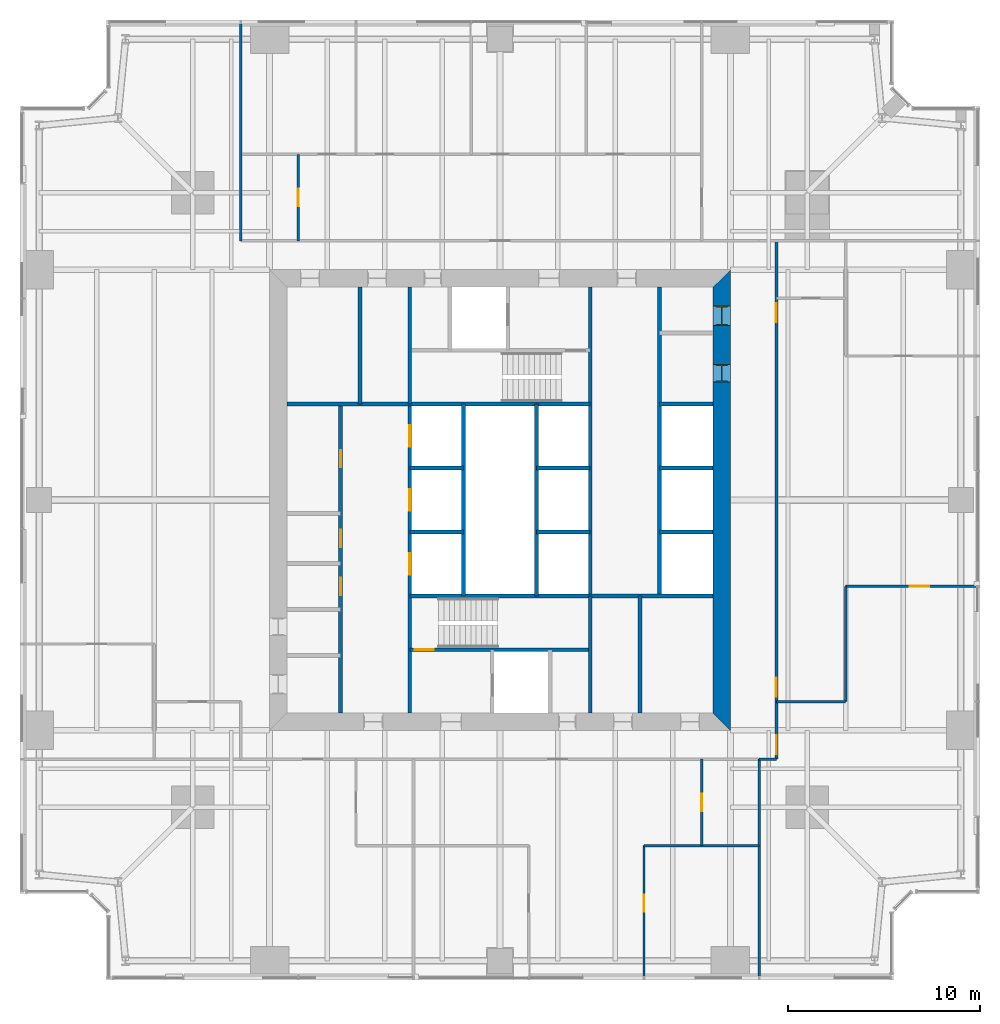
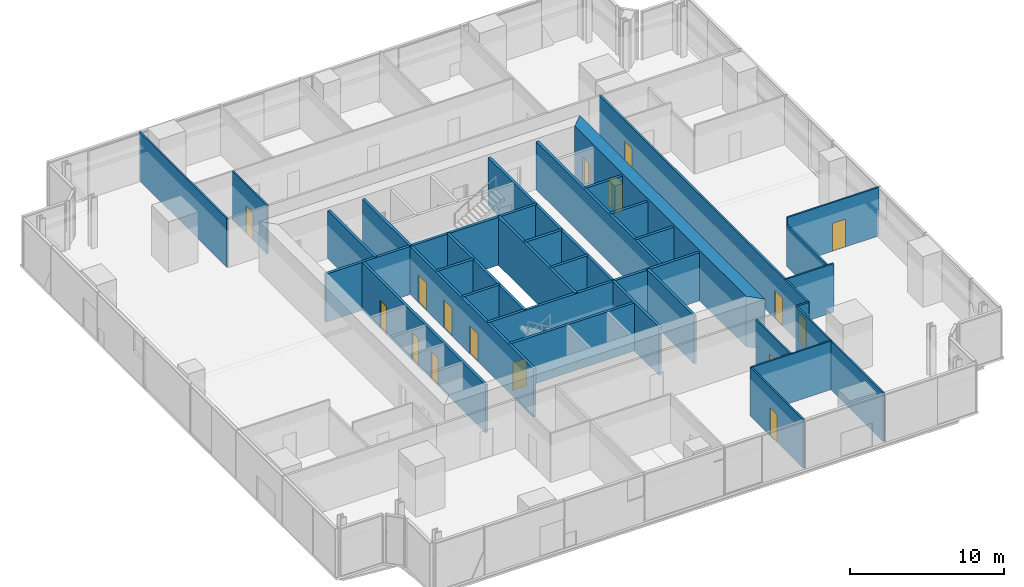
# One storey, part 10 of 14: 32 walls, 16 doors, 16 openings.
"""IFC4 building model written with IfcOpenShell, lengths in metres."""

from ifc_helpers import new_model, si_unit, direction, frame, frame_2d, origin, place, context, subcontext, project, spatial, polyline, rectangle, outline, extrude, material, layer, layer_set, type_object, element, fill, save


model = new_model("IFC4")

# Units and contexts
model_context = context("Model", 3, precision=1e-05, world=origin(), true_north=direction((0.0, 1.0)))
body_context = subcontext(model_context, "Body", "Model", "MODEL_VIEW")
ifc_project = project(units=[si_unit("LENGTHUNIT", "METRE"), si_unit("AREAUNIT", "SQUARE_METRE"), si_unit("VOLUMEUNIT", "CUBIC_METRE"), si_unit("PLANEANGLEUNIT", "RADIAN"), si_unit("MASSUNIT", "GRAM", prefix="KILO")], contexts=[model_context])

# Site, building, storey
site_placement = place(None, origin())
site = spatial("IfcSite", under=ifc_project, at=site_placement, CompositionType="ELEMENT")
building_placement = place(site_placement, origin())
building = spatial("IfcBuilding", under=site, at=building_placement, Name="Fenwick Lantern Interchange", CompositionType="ELEMENT")
storey_placement = place(building_placement, frame((0.0, 0.0, 154.39990234375)))
storey = spatial("IfcBuildingStorey", under=building, at=storey_placement, Name="L36", CompositionType="ELEMENT", Elevation=154.39990234375)

# Wall, openings, doors
ifc_material_1 = material(Name="Concrete masonry ASTM C90 Grade N", Category="masonry")
ifc_layer_1 = layer(ifc_material_1, 0.199951171875)
ifc_layer_set_1 = layer_set([ifc_layer_1], Name="Concrete masonry ASTM C90 Grade N")
wall_type_1 = type_object("IfcWallType", Name="CORE PARTITION 200", PredefinedType="PARTITIONING", material=ifc_layer_set_1)
wall_1_placement = place(storey_placement, frame((16.699951171875, 13.89990234375, 0.0), z_axis=(0.0, 0.0, 1.0), x_axis=(0.0, 1.0, 0.0)))
wall_1 = element("IfcWall", 1, at=wall_1_placement, inside=storey, type_object=wall_type_1, Name="L36/W/CORES/a", PredefinedType="PARTITIONING", context=body_context, shape_type="SweptSolid", body=[
    extrude(rectangle(XDim=16.10009765625, YDim=0.199951171875, at=frame_2d((8.050048828125, 0.0))), origin(), (0.0, 0.0, 1.0), 3.800048828125),
])
opening_1_placement = place(wall_1_placement, frame((6.14990234375, 0.0, 0.0)))
opening_1 = element("IfcOpeningElement", 2, at=opening_1_placement, cuts=wall_1, Name="Opening L36-D009", PredefinedType="OPENING", context=body_context, shape_type="SweptSolid", body=[
    extrude(rectangle(XDim=0.89990234375, YDim=2.199951171875, at=frame_2d((0.449951171875, 1.10009765625))), frame((0.0, 0.10986328125, 0.0), z_axis=(0.0, -1.0, 0.0), x_axis=(1.0, 0.0, 0.0)), (0.0, 0.0, 1.0), 0.219970703125),
])
opening_2_placement = place(wall_1_placement, frame((8.64990234375, 0.0, 0.0)))
opening_2 = element("IfcOpeningElement", 3, at=opening_2_placement, cuts=wall_1, Name="Opening L36-D010", PredefinedType="OPENING", context=body_context, shape_type="SweptSolid", body=[
    extrude(rectangle(XDim=0.89990234375, YDim=2.199951171875, at=frame_2d((0.449951171875, 1.10009765625))), frame((0.0, 0.10986328125, 0.0), z_axis=(0.0, -1.0, 0.0), x_axis=(1.0, 0.0, 0.0)), (0.0, 0.0, 1.0), 0.219970703125),
])
opening_3_placement = place(wall_1_placement, frame((12.800048828125, 0.0, 0.0)))
opening_3 = element("IfcOpeningElement", 4, at=opening_3_placement, cuts=wall_1, Name="Opening L36-D011", PredefinedType="OPENING", context=body_context, shape_type="SweptSolid", body=[
    extrude(rectangle(XDim=0.89990234375, YDim=2.199951171875, at=frame_2d((0.449951171875, 1.10009765625))), frame((0.0, 0.10986328125, 0.0), z_axis=(0.0, -1.0, 0.0), x_axis=(1.0, 0.0, 0.0)), (0.0, 0.0, 1.0), 0.219970703125),
])
ifc_material_2 = material(Name="Steel door and frame", Category="steel")
door_type_1 = type_object("IfcDoorType", Name="SERVICE DOOR 900 X 2200", OperationType="SINGLE_SWING_LEFT", PredefinedType="DOOR", material=ifc_material_2)
door_1_placement = place(opening_1_placement, origin())
door_1 = element("IfcDoor", 5, at=door_1_placement, inside=storey, type_object=door_type_1, Name="Service door", OperationType="SINGLE_SWING_LEFT", OverallHeight=2.199951171875, OverallWidth=0.89990234375, PredefinedType="DOOR", context=body_context, shape_type="SweptSolid", body=[
    extrude(rectangle(XDim=0.89990234375, YDim=2.199951171875, at=frame_2d((0.449951171875, 1.10009765625))), frame((0.0, 0.02490234375, 0.0), z_axis=(0.0, -1.0, 0.0), x_axis=(1.0, 0.0, 0.0)), (0.0, 0.0, 1.0), 0.050048828125),
])
fill(opening_1, door_1)
door_2_placement = place(opening_2_placement, origin())
door_2 = element("IfcDoor", 6, at=door_2_placement, inside=storey, type_object=door_type_1, Name="Service door", OperationType="SINGLE_SWING_LEFT", OverallHeight=2.199951171875, OverallWidth=0.89990234375, PredefinedType="DOOR", context=body_context, shape_type="SweptSolid", body=[
    extrude(rectangle(XDim=0.89990234375, YDim=2.199951171875, at=frame_2d((0.449951171875, 1.10009765625))), frame((0.0, 0.02490234375, 0.0), z_axis=(0.0, -1.0, 0.0), x_axis=(1.0, 0.0, 0.0)), (0.0, 0.0, 1.0), 0.050048828125),
])
fill(opening_2, door_2)
door_3_placement = place(opening_3_placement, origin())
door_3 = element("IfcDoor", 7, at=door_3_placement, inside=storey, type_object=door_type_1, Name="Service door", OperationType="SINGLE_SWING_LEFT", OverallHeight=2.199951171875, OverallWidth=0.89990234375, PredefinedType="DOOR", context=body_context, shape_type="SweptSolid", body=[
    extrude(rectangle(XDim=0.89990234375, YDim=2.199951171875, at=frame_2d((0.449951171875, 1.10009765625))), frame((0.0, 0.02490234375, 0.0), z_axis=(0.0, -1.0, 0.0), x_axis=(1.0, 0.0, 0.0)), (0.0, 0.0, 1.0), 0.050048828125),
])
fill(opening_3, door_3)

# Walls
for number, where, z_axis, x_axis, name in (
    (8, (20.300048828125, 23.333251953125, 0.0), (0.0, 0.0, 1.0), (1.0, 0.0, 0.0), "L36/W/CORES/e1"),
    (9, (20.300048828125, 26.666748046875, 0.0), (0.0, 0.0, 1.0), (1.0, 0.0, 0.0), "L36/W/CORES/e2"),
):
    element("IfcWall", number, at=place(storey_placement, frame(where, z_axis=z_axis, x_axis=x_axis)), inside=storey, type_object=wall_type_1, Name=name, PredefinedType="PARTITIONING", context=body_context, shape_type="SweptSolid", body=[
        extrude(rectangle(XDim=2.800048828125, YDim=0.199951171875, at=frame_2d((1.39990234375, 0.0))), origin(), (0.0, 0.0, 1.0), 3.800048828125),
    ])
wall_2_placement = place(storey_placement, frame((23.10009765625, 20.0, 0.0), z_axis=(0.0, 0.0, 1.0), x_axis=(0.0, 1.0, 0.0)))
element("IfcWall", 10, at=wall_2_placement, inside=storey, type_object=wall_type_1, Name="L36/W/CORES/e3", PredefinedType="PARTITIONING", context=body_context, shape_type="SweptSolid", body=[
    extrude(rectangle(XDim=10.0, YDim=0.199951171875, at=frame_2d((5.0, 0.0))), origin(), (0.0, 0.0, 1.0), 3.800048828125),
])
wall_3_placement = place(storey_placement, frame((32.300048828125, 13.89990234375, 0.0), z_axis=(0.0, 0.0, 1.0), x_axis=(0.0, 1.0, 0.0)))
element("IfcWall", 11, at=wall_3_placement, inside=storey, type_object=wall_type_1, Name="L36/W/CORES/i2", PredefinedType="PARTITIONING", context=body_context, shape_type="SweptSolid", body=[
    extrude(rectangle(XDim=6.10009765625, YDim=0.199951171875, at=frame_2d((3.050048828125, 0.0))), origin(), (0.0, 0.0, 1.0), 3.800048828125),
])
wall_4_placement = place(storey_placement, frame((33.300048828125, 36.10009765625, 0.0), z_axis=(0.0, 0.0, 1.0), x_axis=(0.0, -1.0, 0.0)))
element("IfcWall", 12, at=wall_4_placement, inside=storey, type_object=wall_type_1, Name="L36/W/COREN/a", PredefinedType="PARTITIONING", context=body_context, shape_type="SweptSolid", body=[
    extrude(rectangle(XDim=16.10009765625, YDim=0.199951171875, at=frame_2d((8.050048828125, 0.0))), origin(), (0.0, 0.0, 1.0), 3.800048828125),
])
for number, where, z_axis, x_axis, name in (
    (13, (36.10009765625, 30.0, 0.0), (0.0, 0.0, 1.0), (-1.0, 0.0, 0.0), "L36/W/COREN/c2"),
    (14, (36.10009765625, 26.666748046875, 0.0), (0.0, 0.0, 1.0), (-1.0, 0.0, 0.0), "L36/W/COREN/d1"),
    (15, (36.10009765625, 23.333251953125, 0.0), (0.0, 0.0, 1.0), (-1.0, 0.0, 0.0), "L36/W/COREN/d2"),
    (16, (29.699951171875, 26.666748046875, 0.0), (0.0, 0.0, 1.0), (-1.0, 0.0, 0.0), "L36/W/COREN/e1"),
    (17, (29.699951171875, 23.333251953125, 0.0), (0.0, 0.0, 1.0), (-1.0, 0.0, 0.0), "L36/W/COREN/e2"),
):
    element("IfcWall", number, at=place(storey_placement, frame(where, z_axis=z_axis, x_axis=x_axis)), inside=storey, type_object=wall_type_1, Name=name, PredefinedType="PARTITIONING", context=body_context, shape_type="SweptSolid", body=[
        extrude(rectangle(XDim=2.800048828125, YDim=0.199951171875, at=frame_2d((1.39990234375, 0.0))), origin(), (0.0, 0.0, 1.0), 3.800048828125),
    ])
wall_5_placement = place(storey_placement, frame((26.89990234375, 30.0, 0.0), z_axis=(0.0, 0.0, 1.0), x_axis=(0.0, -1.0, 0.0)))
element("IfcWall", 18, at=wall_5_placement, inside=storey, type_object=wall_type_1, Name="L36/W/COREN/e3", PredefinedType="PARTITIONING", context=body_context, shape_type="SweptSolid", body=[
    extrude(rectangle(XDim=10.0, YDim=0.199951171875, at=frame_2d((5.0, 0.0))), origin(), (0.0, 0.0, 1.0), 3.800048828125),
])
wall_6_placement = place(storey_placement, frame((17.699951171875, 36.10009765625, 0.0), z_axis=(0.0, 0.0, 1.0), x_axis=(0.0, -1.0, 0.0)))
element("IfcWall", 19, at=wall_6_placement, inside=storey, type_object=wall_type_1, Name="L36/W/COREN/i2", PredefinedType="PARTITIONING", context=body_context, shape_type="SweptSolid", body=[
    extrude(rectangle(XDim=6.10009765625, YDim=0.199951171875, at=frame_2d((3.050048828125, 0.0))), origin(), (0.0, 0.0, 1.0), 3.800048828125),
])

# Wall, openings, doors
ifc_material_3 = material(Name="Concrete f'c 70 MPa", Category="concrete")
ifc_layer_2 = layer(ifc_material_3, 0.89990234375)
ifc_layer_set_2 = layer_set([ifc_layer_2], Name="CORE WALL 900")
wall_type_2 = type_object("IfcWallType", Name="CORE WALL 900", PredefinedType="SHEAR", material=ifc_layer_set_2)
wall_7_placement = place(storey_placement, frame((36.550048828125, 13.89990234375, 0.0), z_axis=(0.0, 0.0, 1.0), x_axis=(0.0, 1.0, 0.0)))
wall_7 = element("IfcWall", 20, at=wall_7_placement, inside=storey, type_object=wall_type_2, Name="L36/CORE/E", PredefinedType="SHEAR", context=body_context, shape_type="SweptSolid", body=[
    extrude(outline(polyline([(-0.89990234375, -0.449951171875), (23.10009765625, -0.449951171875), (22.199951171875, 0.449951171875), (0.0, 0.449951171875), (-0.89990234375, -0.449951171875)])), origin(), (0.0, 0.0, 1.0), 4.0),
])
opening_4_placement = place(wall_7_placement, frame((20.199951171875, 0.0, 0.0)))
opening_4 = element("IfcOpeningElement", 21, at=opening_4_placement, cuts=wall_7, Name="Opening L36-D018", PredefinedType="OPENING", context=body_context, shape_type="SweptSolid", body=[
    extrude(rectangle(XDim=1.0, YDim=2.199951171875, at=frame_2d((0.5, 1.10009765625))), frame((0.0, 0.4599609375, 0.0), z_axis=(0.0, -1.0, 0.0), x_axis=(1.0, 0.0, 0.0)), (0.0, 0.0, 1.0), 0.919921875),
])
opening_5_placement = place(wall_7_placement, frame((17.25, 0.0, 0.0)))
opening_5 = element("IfcOpeningElement", 22, at=opening_5_placement, cuts=wall_7, Name="Opening L36-D019", PredefinedType="OPENING", context=body_context, shape_type="SweptSolid", body=[
    extrude(rectangle(XDim=0.89990234375, YDim=2.199951171875, at=frame_2d((0.449951171875, 1.10009765625))), frame((0.0, 0.4599609375, 0.0), z_axis=(0.0, -1.0, 0.0), x_axis=(1.0, 0.0, 0.0)), (0.0, 0.0, 1.0), 0.919921875),
])
door_type_2 = type_object("IfcDoorType", Name="SERVICE DOOR 1000 X 2200", OperationType="SINGLE_SWING_LEFT", PredefinedType="DOOR", material=ifc_material_2)
door_4_placement = place(opening_4_placement, origin())
door_4 = element("IfcDoor", 23, at=door_4_placement, inside=storey, type_object=door_type_2, Name="Service door", OperationType="SINGLE_SWING_LEFT", OverallHeight=2.199951171875, OverallWidth=1.0, PredefinedType="DOOR", context=body_context, shape_type="SweptSolid", body=[
    extrude(rectangle(XDim=1.0, YDim=2.199951171875, at=frame_2d((0.5, 1.10009765625))), frame((0.0, 0.02490234375, 0.0), z_axis=(0.0, -1.0, 0.0), x_axis=(1.0, 0.0, 0.0)), (0.0, 0.0, 1.0), 0.050048828125),
    extrude(outline(polyline([(0.0, 0.0), (0.0400390625, 0.0), (0.0400390625, 2.159912109375), (0.9599609375, 2.159912109375), (0.9599609375, 0.0), (1.0, 0.0), (1.0, 2.199951171875), (0.0, 2.199951171875), (0.0, 0.0)])), frame((0.0, 0.300048828125, 0.0), z_axis=(0.0, -1.0, 0.0), x_axis=(1.0, 0.0, 0.0)), (0.0, 0.0, 1.0), 0.60009765625),
])
fill(opening_4, door_4)
door_5_placement = place(opening_5_placement, origin())
door_5 = element("IfcDoor", 24, at=door_5_placement, inside=storey, type_object=door_type_1, Name="Service door", OperationType="SINGLE_SWING_LEFT", OverallHeight=2.199951171875, OverallWidth=0.89990234375, PredefinedType="DOOR", context=body_context, shape_type="SweptSolid", body=[
    extrude(rectangle(XDim=0.89990234375, YDim=2.199951171875, at=frame_2d((0.449951171875, 1.10009765625))), frame((0.0, 0.02490234375, 0.0), z_axis=(0.0, -1.0, 0.0), x_axis=(1.0, 0.0, 0.0)), (0.0, 0.0, 1.0), 0.050048828125),
    extrude(outline(polyline([(0.0, 0.0), (0.0400390625, 0.0), (0.0400390625, 2.159912109375), (0.85986328125, 2.159912109375), (0.85986328125, 0.0), (0.89990234375, 0.0), (0.89990234375, 2.199951171875), (0.0, 2.199951171875), (0.0, 0.0)])), frame((0.0, 0.300048828125, 0.0), z_axis=(0.0, -1.0, 0.0), x_axis=(1.0, 0.0, 0.0)), (0.0, 0.0, 1.0), 0.60009765625),
])
fill(opening_5, door_5)

# Wall
ifc_material_4 = material(Name="Gypsum board on steel studs, 1 hour", Category="steel")
ifc_layer_3 = layer(ifc_material_4, 0.14990234375)
ifc_layer_set_3 = layer_set([ifc_layer_3], Name="CORRIDOR WALL 150")
wall_type_3 = type_object("IfcWallType", Name="CORRIDOR WALL 150", PredefinedType="PARTITIONING", material=ifc_layer_set_3)
wall_8_placement = place(storey_placement, frame((38.5, 11.5, 0.0), z_axis=(0.0, 0.0, 1.0), x_axis=(1.0, 0.0, 0.0)))
element("IfcWall", 25, at=wall_8_placement, inside=storey, type_object=wall_type_3, Name="L36/W/OFF/E/CWJ", PredefinedType="PARTITIONING", context=body_context, shape_type="SweptSolid", body=[
    extrude(rectangle(XDim=0.89990234375, YDim=0.14990234375, at=frame_2d((0.449951171875, 0.0))), origin(), (0.0, 0.0, 1.0), 3.85009765625),
])

# Wall, openings, doors
wall_9_placement = place(storey_placement, frame((39.39990234375, 11.5, 0.0), z_axis=(0.0, 0.0, 1.0), x_axis=(0.0, 1.0, 0.0)))
wall_9 = element("IfcWall", 26, at=wall_9_placement, inside=storey, type_object=wall_type_3, Name="L36/W/OFF/E/CW2", PredefinedType="PARTITIONING", context=body_context, shape_type="SweptSolid", body=[
    extrude(rectangle(XDim=27.0, YDim=0.14990234375, at=frame_2d((13.5, 0.0))), origin(), (0.0, 0.0, 1.0), 3.85009765625),
])
opening_6_placement = place(wall_9_placement, frame((3.25, 0.0, 0.0)))
opening_6 = element("IfcOpeningElement", 27, at=opening_6_placement, cuts=wall_9, Name="Opening L36-D026", PredefinedType="OPENING", context=body_context, shape_type="SweptSolid", body=[
    extrude(rectangle(XDim=1.0, YDim=2.199951171875, at=frame_2d((0.5, 1.10009765625))), frame((0.0, 0.0849609375, 0.0), z_axis=(0.0, -1.0, 0.0), x_axis=(1.0, 0.0, 0.0)), (0.0, 0.0, 1.0), 0.169921875),
])
opening_7_placement = place(wall_9_placement, frame((22.75, 0.0, 0.0)))
opening_7 = element("IfcOpeningElement", 28, at=opening_7_placement, cuts=wall_9, Name="Opening L36-D027", PredefinedType="OPENING", context=body_context, shape_type="SweptSolid", body=[
    extrude(rectangle(XDim=1.0, YDim=2.199951171875, at=frame_2d((0.5, 1.10009765625))), frame((0.0, 0.0849609375, 0.0), z_axis=(0.0, -1.0, 0.0), x_axis=(1.0, 0.0, 0.0)), (0.0, 0.0, 1.0), 0.169921875),
])
opening_8_placement = place(wall_9_placement, frame((0.25, 0.0, 0.0)))
opening_8 = element("IfcOpeningElement", 29, at=opening_8_placement, cuts=wall_9, Name="Opening L36-D029", PredefinedType="OPENING", context=body_context, shape_type="SweptSolid", body=[
    extrude(rectangle(XDim=1.0, YDim=2.199951171875, at=frame_2d((0.5, 1.10009765625))), frame((0.0, 0.0849609375, 0.0), z_axis=(0.0, -1.0, 0.0), x_axis=(1.0, 0.0, 0.0)), (0.0, 0.0, 1.0), 0.169921875),
])
ifc_material_5 = material(Name="Hardwood door and steel frame", Category="steel")
door_type_3 = type_object("IfcDoorType", Name="MEETING ROOM DOOR 1000 X 2200", OperationType="SINGLE_SWING_LEFT", PredefinedType="DOOR", material=ifc_material_5)
door_6_placement = place(opening_8_placement, origin())
door_6 = element("IfcDoor", 30, at=door_6_placement, inside=storey, type_object=door_type_3, Name="Meeting room door", OperationType="SINGLE_SWING_LEFT", OverallHeight=2.199951171875, OverallWidth=1.0, PredefinedType="DOOR", context=body_context, shape_type="SweptSolid", body=[
    extrude(rectangle(XDim=1.0, YDim=2.199951171875, at=frame_2d((0.5, 1.10009765625))), frame((0.0, 0.02490234375, 0.0), z_axis=(0.0, -1.0, 0.0), x_axis=(1.0, 0.0, 0.0)), (0.0, 0.0, 1.0), 0.050048828125),
])
fill(opening_8, door_6)
door_type_4 = type_object("IfcDoorType", Name="SUITE ENTRANCE DOOR 1000 X 2200", OperationType="SINGLE_SWING_LEFT", PredefinedType="DOOR", material=ifc_material_2)
door_7_placement = place(opening_6_placement, frame((1.0, 0.0, 0.0), z_axis=(0.0, 0.0, 1.0), x_axis=(-1.0, 0.0, 0.0)))
door_7 = element("IfcDoor", 31, at=door_7_placement, inside=storey, type_object=door_type_4, Name="Suite entrance door", OperationType="SINGLE_SWING_RIGHT", OverallHeight=2.199951171875, OverallWidth=1.0, PredefinedType="DOOR", context=body_context, shape_type="SweptSolid", body=[
    extrude(rectangle(XDim=1.0, YDim=2.199951171875, at=frame_2d((0.5, 1.10009765625))), frame((0.0, 0.02490234375, 0.0), z_axis=(0.0, -1.0, 0.0), x_axis=(1.0, 0.0, 0.0)), (0.0, 0.0, 1.0), 0.050048828125),
])
fill(opening_6, door_7)
door_8_placement = place(opening_7_placement, frame((1.0, 0.0, 0.0), z_axis=(0.0, 0.0, 1.0), x_axis=(-1.0, 0.0, 0.0)))
door_8 = element("IfcDoor", 32, at=door_8_placement, inside=storey, type_object=door_type_4, Name="Suite entrance door", OperationType="SINGLE_SWING_LEFT", OverallHeight=2.199951171875, OverallWidth=1.0, PredefinedType="DOOR", context=body_context, shape_type="SweptSolid", body=[
    extrude(rectangle(XDim=1.0, YDim=2.199951171875, at=frame_2d((0.5, 1.10009765625))), frame((0.0, 0.02490234375, 0.0), z_axis=(0.0, -1.0, 0.0), x_axis=(1.0, 0.0, 0.0)), (0.0, 0.0, 1.0), 0.050048828125),
])
fill(opening_7, door_8)

# Wall, opening, door
ifc_material_6 = material(Name="Gypsum board on steel studs, acoustic", Category="steel")
ifc_layer_4 = layer(ifc_material_6, 0.125)
ifc_layer_set_4 = layer_set([ifc_layer_4], Name="OFFICE PARTITION 125")
wall_type_4 = type_object("IfcWallType", Name="OFFICE PARTITION 125", PredefinedType="PARTITIONING", material=ifc_layer_set_4)
wall_10_placement = place(storey_placement, frame((32.5, 0.14990234375, 0.0), z_axis=(0.0, 0.0, 1.0), x_axis=(0.0, 1.0, 0.0)))
wall_10 = element("IfcWall", 33, at=wall_10_placement, inside=storey, type_object=wall_type_4, Name="L36/W/OFF/S/X325-1", PredefinedType="PARTITIONING", context=body_context, shape_type="SweptSolid", body=[
    extrude(rectangle(XDim=6.85009765625, YDim=0.125, at=frame_2d((3.425048828125, 0.0))), origin(), (0.0, 0.0, 1.0), 3.85009765625),
])
opening_9_placement = place(wall_10_placement, frame((3.39990234375, 0.0, 0.0)))
opening_9 = element("IfcOpeningElement", 34, at=opening_9_placement, cuts=wall_10, Name="Opening L36-D024", PredefinedType="OPENING", context=body_context, shape_type="SweptSolid", body=[
    extrude(rectangle(XDim=0.89990234375, YDim=2.199951171875, at=frame_2d((0.449951171875, 1.10009765625))), frame((0.0, 0.072509765625, 0.0), z_axis=(0.0, -1.0, 0.0), x_axis=(1.0, 0.0, 0.0)), (0.0, 0.0, 1.0), 0.14501953125),
])
door_type_5 = type_object("IfcDoorType", Name="OFFICE DOOR 900 X 2200", OperationType="SINGLE_SWING_LEFT", PredefinedType="DOOR", material=ifc_material_5)
door_9_placement = place(opening_9_placement, frame((0.89990234375, 0.0, 0.0), z_axis=(0.0, 0.0, 1.0), x_axis=(-1.0, 0.0, 0.0)))
door_9 = element("IfcDoor", 35, at=door_9_placement, inside=storey, type_object=door_type_5, Name="Office door", OperationType="SINGLE_SWING_LEFT", OverallHeight=2.199951171875, OverallWidth=0.89990234375, PredefinedType="DOOR", context=body_context, shape_type="SweptSolid", body=[
    extrude(rectangle(XDim=0.89990234375, YDim=2.199951171875, at=frame_2d((0.449951171875, 1.10009765625))), frame((0.0, 0.02490234375, 0.0), z_axis=(0.0, -1.0, 0.0), x_axis=(1.0, 0.0, 0.0)), (0.0, 0.0, 1.0), 0.050048828125),
])
fill(opening_9, door_9)

wall_11_placement = place(storey_placement, frame((35.5, 7.0, 0.0), z_axis=(0.0, 0.0, 1.0), x_axis=(0.0, 1.0, 0.0)))
wall_11 = element("IfcWall", 36, at=wall_11_placement, inside=storey, type_object=wall_type_4, Name="L36/W/OFF/S/X355-1", PredefinedType="PARTITIONING", context=body_context, shape_type="SweptSolid", body=[
    extrude(rectangle(XDim=4.5, YDim=0.125, at=frame_2d((2.25, 0.0))), origin(), (0.0, 0.0, 1.0), 3.85009765625),
])
opening_10_placement = place(wall_11_placement, frame((1.800048828125, 0.0, 0.0)))
opening_10 = element("IfcOpeningElement", 37, at=opening_10_placement, cuts=wall_11, Name="Opening L36-D025", PredefinedType="OPENING", context=body_context, shape_type="SweptSolid", body=[
    extrude(rectangle(XDim=0.89990234375, YDim=2.199951171875, at=frame_2d((0.449951171875, 1.10009765625))), frame((0.0, 0.072509765625, 0.0), z_axis=(0.0, -1.0, 0.0), x_axis=(1.0, 0.0, 0.0)), (0.0, 0.0, 1.0), 0.14501953125),
])
door_10_placement = place(opening_10_placement, frame((0.89990234375, 0.0, 0.0), z_axis=(0.0, 0.0, 1.0), x_axis=(-1.0, 0.0, 0.0)))
door_10 = element("IfcDoor", 38, at=door_10_placement, inside=storey, type_object=door_type_5, Name="Office door", OperationType="SINGLE_SWING_RIGHT", OverallHeight=2.199951171875, OverallWidth=0.89990234375, PredefinedType="DOOR", context=body_context, shape_type="SweptSolid", body=[
    extrude(rectangle(XDim=0.89990234375, YDim=2.199951171875, at=frame_2d((0.449951171875, 1.10009765625))), frame((0.0, 0.02490234375, 0.0), z_axis=(0.0, -1.0, 0.0), x_axis=(1.0, 0.0, 0.0)), (0.0, 0.0, 1.0), 0.050048828125),
])
fill(opening_10, door_10)

# Walls
wall_12_placement = place(storey_placement, frame((32.5, 7.0, 0.0), z_axis=(0.0, 0.0, 1.0), x_axis=(1.0, 0.0, 0.0)))
element("IfcWall", 39, at=wall_12_placement, inside=storey, type_object=wall_type_4, Name="L36/W/OFF/S/Y70-3", PredefinedType="PARTITIONING", context=body_context, shape_type="SweptSolid", body=[
    extrude(rectangle(XDim=6.0, YDim=0.125, at=frame_2d((3.0, 0.0))), origin(), (0.0, 0.0, 1.0), 3.85009765625),
])
wall_13_placement = place(storey_placement, frame((38.5, 0.14990234375, 0.0), z_axis=(0.0, 0.0, 1.0), x_axis=(0.0, 1.0, 0.0)))
element("IfcWall", 40, at=wall_13_placement, inside=storey, type_object=wall_type_4, Name="L36/W/OFF/E/BACK", PredefinedType="PARTITIONING", context=body_context, shape_type="SweptSolid", body=[
    extrude(rectangle(XDim=11.35009765625, YDim=0.125, at=frame_2d((5.675048828125, 0.0))), origin(), (0.0, 0.0, 1.0), 3.85009765625),
])
wall_14_placement = place(storey_placement, frame((43.0, 14.5, 0.0), z_axis=(0.0, 0.0, 1.0), x_axis=(-1.0, 0.0, 0.0)))
element("IfcWall", 41, at=wall_14_placement, inside=storey, type_object=wall_type_4, Name="L36/W/OFF/E/X145-1", PredefinedType="PARTITIONING", context=body_context, shape_type="SweptSolid", body=[
    extrude(rectangle(XDim=3.60009765625, YDim=0.125, at=frame_2d((1.800048828125, 0.0))), origin(), (0.0, 0.0, 1.0), 3.85009765625),
])

# Wall, opening, door
wall_15_placement = place(storey_placement, frame((49.85009765625, 20.5, 0.0), z_axis=(0.0, 0.0, 1.0), x_axis=(-1.0, 0.0, 0.0)))
wall_15 = element("IfcWall", 42, at=wall_15_placement, inside=storey, type_object=wall_type_4, Name="L36/W/OFF/E/X205-1", PredefinedType="PARTITIONING", context=body_context, shape_type="SweptSolid", body=[
    extrude(rectangle(XDim=6.85009765625, YDim=0.125, at=frame_2d((3.425048828125, 0.0))), origin(), (0.0, 0.0, 1.0), 3.85009765625),
])
opening_11_placement = place(wall_15_placement, frame((2.5, 0.0, 0.0)))
opening_11 = element("IfcOpeningElement", 43, at=opening_11_placement, cuts=wall_15, Name="Opening L36-D028", PredefinedType="OPENING", context=body_context, shape_type="SweptSolid", body=[
    extrude(rectangle(XDim=1.0, YDim=2.199951171875, at=frame_2d((0.5, 1.10009765625))), frame((0.0, 0.072509765625, 0.0), z_axis=(0.0, -1.0, 0.0), x_axis=(1.0, 0.0, 0.0)), (0.0, 0.0, 1.0), 0.14501953125),
])
door_11_placement = place(opening_11_placement, frame((1.0, 0.0, 0.0), z_axis=(0.0, 0.0, 1.0), x_axis=(-1.0, 0.0, 0.0)))
door_11 = element("IfcDoor", 44, at=door_11_placement, inside=storey, type_object=door_type_3, Name="Meeting room door", OperationType="SINGLE_SWING_RIGHT", OverallHeight=2.199951171875, OverallWidth=1.0, PredefinedType="DOOR", context=body_context, shape_type="SweptSolid", body=[
    extrude(rectangle(XDim=1.0, YDim=2.199951171875, at=frame_2d((0.5, 1.10009765625))), frame((0.0, 0.02490234375, 0.0), z_axis=(0.0, -1.0, 0.0), x_axis=(1.0, 0.0, 0.0)), (0.0, 0.0, 1.0), 0.050048828125),
])
fill(opening_11, door_11)

# Wall
wall_16_placement = place(storey_placement, frame((43.0, 14.5, 0.0), z_axis=(0.0, 0.0, 1.0), x_axis=(0.0, 1.0, 0.0)))
element("IfcWall", 45, at=wall_16_placement, inside=storey, type_object=wall_type_4, Name="L36/W/OFF/E/Y70-1", PredefinedType="PARTITIONING", context=body_context, shape_type="SweptSolid", body=[
    extrude(rectangle(XDim=6.0, YDim=0.125, at=frame_2d((3.0, 0.0))), origin(), (0.0, 0.0, 1.0), 3.238037109375),
])

# Wall, opening, door
wall_17_placement = place(storey_placement, frame((14.5, 43.0, 0.0), z_axis=(0.0, 0.0, 1.0), x_axis=(0.0, -1.0, 0.0)))
wall_17 = element("IfcWall", 46, at=wall_17_placement, inside=storey, type_object=wall_type_4, Name="L36/W/OFF/N/X355-1", PredefinedType="PARTITIONING", context=body_context, shape_type="SweptSolid", body=[
    extrude(rectangle(XDim=4.5, YDim=0.125, at=frame_2d((2.25, 0.0))), origin(), (0.0, 0.0, 1.0), 3.85009765625),
])
opening_12_placement = place(wall_17_placement, frame((1.800048828125, 0.0, 0.0)))
opening_12 = element("IfcOpeningElement", 47, at=opening_12_placement, cuts=wall_17, Name="Opening L36-D038", PredefinedType="OPENING", context=body_context, shape_type="SweptSolid", body=[
    extrude(rectangle(XDim=0.89990234375, YDim=2.199951171875, at=frame_2d((0.449951171875, 1.10009765625))), frame((0.0, 0.072509765625, 0.0), z_axis=(0.0, -1.0, 0.0), x_axis=(1.0, 0.0, 0.0)), (0.0, 0.0, 1.0), 0.14501953125),
])
door_12_placement = place(opening_12_placement, frame((0.89990234375, 0.0, 0.0), z_axis=(0.0, 0.0, 1.0), x_axis=(-1.0, 0.0, 0.0)))
door_12 = element("IfcDoor", 48, at=door_12_placement, inside=storey, type_object=door_type_5, Name="Office door", OperationType="SINGLE_SWING_RIGHT", OverallHeight=2.199951171875, OverallWidth=0.89990234375, PredefinedType="DOOR", context=body_context, shape_type="SweptSolid", body=[
    extrude(rectangle(XDim=0.89990234375, YDim=2.199951171875, at=frame_2d((0.449951171875, 1.10009765625))), frame((0.0, 0.02490234375, 0.0), z_axis=(0.0, -1.0, 0.0), x_axis=(1.0, 0.0, 0.0)), (0.0, 0.0, 1.0), 0.050048828125),
])
fill(opening_12, door_12)

# Wall
wall_18_placement = place(storey_placement, frame((11.5, 49.85009765625, 0.0), z_axis=(0.0, 0.0, 1.0), x_axis=(0.0, -1.0, 0.0)))
element("IfcWall", 49, at=wall_18_placement, inside=storey, type_object=wall_type_4, Name="L36/W/OFF/W/BACK", PredefinedType="PARTITIONING", context=body_context, shape_type="SweptSolid", body=[
    extrude(rectangle(XDim=11.35009765625, YDim=0.125, at=frame_2d((5.675048828125, 0.0))), origin(), (0.0, 0.0, 1.0), 3.85009765625),
])

# Wall, openings, doors
ifc_material_7 = material(Name="Concrete f'c 45 MPa", Category="concrete")
ifc_layer_5 = layer(ifc_material_7, 0.199951171875)
ifc_layer_set_5 = layer_set([ifc_layer_5], Name="STAIR CORE WALL 200")
wall_type_5 = type_object("IfcWallType", Name="STAIR CORE WALL 200", PredefinedType="SOLIDWALL", material=ifc_layer_set_5)
wall_19_placement = place(storey_placement, frame((20.300048828125, 13.89990234375, 0.0), z_axis=(0.0, 0.0, 1.0), x_axis=(0.0, 1.0, 0.0)))
wall_19 = element("IfcWall", 50, at=wall_19_placement, inside=storey, type_object=wall_type_5, Name="L36/W/CORES/b", PredefinedType="SOLIDWALL", context=body_context, shape_type="SweptSolid", body=[
    extrude(rectangle(XDim=16.10009765625, YDim=0.199951171875, at=frame_2d((8.050048828125, 0.0))), origin(), (0.0, 0.0, 1.0), 3.800048828125),
])
opening_13_placement = place(wall_19_placement, frame((7.216552734375, 0.0, 0.0)))
opening_13 = element("IfcOpeningElement", 51, at=opening_13_placement, cuts=wall_19, Name="Opening LD-W2-1", PredefinedType="OPENING", context=body_context, shape_type="SweptSolid", body=[
    extrude(rectangle(XDim=1.10009765625, YDim=2.199951171875, at=frame_2d((0.550048828125, 1.10009765625))), frame((0.0, 0.10986328125, 0.0), z_axis=(0.0, -1.0, 0.0), x_axis=(1.0, 0.0, 0.0)), (0.0, 0.0, 1.0), 0.219970703125),
])
opening_14_placement = place(wall_19_placement, frame((10.550048828125, 0.0, 0.0)))
opening_14 = element("IfcOpeningElement", 52, at=opening_14_placement, cuts=wall_19, Name="Opening LD-W2-2", PredefinedType="OPENING", context=body_context, shape_type="SweptSolid", body=[
    extrude(rectangle(XDim=1.10009765625, YDim=2.199951171875, at=frame_2d((0.550048828125, 1.10009765625))), frame((0.0, 0.10986328125, 0.0), z_axis=(0.0, -1.0, 0.0), x_axis=(1.0, 0.0, 0.0)), (0.0, 0.0, 1.0), 0.219970703125),
])
opening_15_placement = place(wall_19_placement, frame((13.88330078125, 0.0, 0.0)))
opening_15 = element("IfcOpeningElement", 53, at=opening_15_placement, cuts=wall_19, Name="Opening LD-W2-3", PredefinedType="OPENING", context=body_context, shape_type="SweptSolid", body=[
    extrude(rectangle(XDim=1.10009765625, YDim=2.199951171875, at=frame_2d((0.550048828125, 1.10009765625))), frame((0.0, 0.10986328125, 0.0), z_axis=(0.0, -1.0, 0.0), x_axis=(1.0, 0.0, 0.0)), (0.0, 0.0, 1.0), 0.219970703125),
])
door_type_6 = type_object("IfcDoorType", Name="LIFT LANDING DOOR 1100 X 2200", OperationType="DOUBLE_DOOR_SLIDING", PredefinedType="DOOR", material=ifc_material_2)
door_13_placement = place(opening_13_placement, origin())
door_13 = element("IfcDoor", 54, at=door_13_placement, inside=storey, type_object=door_type_6, Name="Lift landing door W2-1", OperationType="DOUBLE_DOOR_SLIDING", OverallHeight=2.199951171875, OverallWidth=1.10009765625, PredefinedType="DOOR", context=body_context, shape_type="SweptSolid", body=[
    extrude(rectangle(XDim=1.10009765625, YDim=2.199951171875, at=frame_2d((0.550048828125, 1.10009765625))), frame((0.0, 0.02490234375, 0.0), z_axis=(0.0, -1.0, 0.0), x_axis=(1.0, 0.0, 0.0)), (0.0, 0.0, 1.0), 0.050048828125),
])
fill(opening_13, door_13)
door_14_placement = place(opening_14_placement, origin())
door_14 = element("IfcDoor", 55, at=door_14_placement, inside=storey, type_object=door_type_6, Name="Lift landing door W2-2", OperationType="DOUBLE_DOOR_SLIDING", OverallHeight=2.199951171875, OverallWidth=1.10009765625, PredefinedType="DOOR", context=body_context, shape_type="SweptSolid", body=[
    extrude(rectangle(XDim=1.10009765625, YDim=2.199951171875, at=frame_2d((0.550048828125, 1.10009765625))), frame((0.0, 0.02490234375, 0.0), z_axis=(0.0, -1.0, 0.0), x_axis=(1.0, 0.0, 0.0)), (0.0, 0.0, 1.0), 0.050048828125),
])
fill(opening_14, door_14)
door_15_placement = place(opening_15_placement, origin())
door_15 = element("IfcDoor", 56, at=door_15_placement, inside=storey, type_object=door_type_6, Name="Lift landing door W2-3", OperationType="DOUBLE_DOOR_SLIDING", OverallHeight=2.199951171875, OverallWidth=1.10009765625, PredefinedType="DOOR", context=body_context, shape_type="SweptSolid", body=[
    extrude(rectangle(XDim=1.10009765625, YDim=2.199951171875, at=frame_2d((0.550048828125, 1.10009765625))), frame((0.0, 0.02490234375, 0.0), z_axis=(0.0, -1.0, 0.0), x_axis=(1.0, 0.0, 0.0)), (0.0, 0.0, 1.0), 0.050048828125),
])
fill(opening_15, door_15)

# Wall, opening, door
wall_20_placement = place(storey_placement, frame((20.300048828125, 17.199951171875, 0.0), z_axis=(0.0, 0.0, 1.0), x_axis=(1.0, 0.0, 0.0)))
wall_20 = element("IfcWall", 57, at=wall_20_placement, inside=storey, type_object=wall_type_5, Name="L36/W/CORES/g1", PredefinedType="SOLIDWALL", context=body_context, shape_type="SweptSolid", body=[
    extrude(rectangle(XDim=9.39990234375, YDim=0.199951171875, at=frame_2d((4.699951171875, 0.0))), origin(), (0.0, 0.0, 1.0), 3.800048828125),
])
opening_16_placement = place(wall_20_placement, frame((0.25, 0.0, 0.0)))
opening_16 = element("IfcOpeningElement", 58, at=opening_16_placement, cuts=wall_20, Name="Opening L36-D003", PredefinedType="OPENING", context=body_context, shape_type="SweptSolid", body=[
    extrude(rectangle(XDim=1.0, YDim=2.199951171875, at=frame_2d((0.5, 1.10009765625))), frame((0.0, 0.10986328125, 0.0), z_axis=(0.0, -1.0, 0.0), x_axis=(1.0, 0.0, 0.0)), (0.0, 0.0, 1.0), 0.219970703125),
])
door_type_7 = type_object("IfcDoorType", Name="STAIR DOOR 1000 X 2200", OperationType="SINGLE_SWING_LEFT", PredefinedType="DOOR", material=ifc_material_2)
door_16_placement = place(opening_16_placement, origin())
door_16 = element("IfcDoor", 59, at=door_16_placement, inside=storey, type_object=door_type_7, Name="Stair door", OperationType="SINGLE_SWING_LEFT", OverallHeight=2.199951171875, OverallWidth=1.0, PredefinedType="DOOR", context=body_context, shape_type="SweptSolid", body=[
    extrude(rectangle(XDim=1.0, YDim=2.199951171875, at=frame_2d((0.5, 1.10009765625))), frame((0.0, 0.02490234375, 0.0), z_axis=(0.0, -1.0, 0.0), x_axis=(1.0, 0.0, 0.0)), (0.0, 0.0, 1.0), 0.050048828125),
])
fill(opening_16, door_16)

# Walls
wall_21_placement = place(storey_placement, frame((20.300048828125, 20.0, 0.0), z_axis=(0.0, 0.0, 1.0), x_axis=(1.0, 0.0, 0.0)))
element("IfcWall", 60, at=wall_21_placement, inside=storey, type_object=wall_type_5, Name="L36/W/CORES/g2", PredefinedType="SOLIDWALL", context=body_context, shape_type="SweptSolid", body=[
    extrude(rectangle(XDim=15.800048828125, YDim=0.199951171875, at=frame_2d((7.89990234375, 0.0))), origin(), (0.0, 0.0, 1.0), 3.800048828125),
])
wall_22_placement = place(storey_placement, frame((29.699951171875, 13.89990234375, 0.0), z_axis=(0.0, 0.0, 1.0), x_axis=(0.0, 1.0, 0.0)))
element("IfcWall", 61, at=wall_22_placement, inside=storey, type_object=wall_type_5, Name="L36/W/CORES/i1", PredefinedType="SOLIDWALL", context=body_context, shape_type="SweptSolid", body=[
    extrude(rectangle(XDim=6.10009765625, YDim=0.199951171875, at=frame_2d((3.050048828125, 0.0))), origin(), (0.0, 0.0, 1.0), 3.800048828125),
])
wall_23_placement = place(storey_placement, frame((29.699951171875, 36.10009765625, 0.0), z_axis=(0.0, 0.0, 1.0), x_axis=(0.0, -1.0, 0.0)))
element("IfcWall", 62, at=wall_23_placement, inside=storey, type_object=wall_type_5, Name="L36/W/COREN/b", PredefinedType="SOLIDWALL", context=body_context, shape_type="SweptSolid", body=[
    extrude(rectangle(XDim=16.10009765625, YDim=0.199951171875, at=frame_2d((8.050048828125, 0.0))), origin(), (0.0, 0.0, 1.0), 3.800048828125),
])
wall_24_placement = place(storey_placement, frame((29.699951171875, 30.0, 0.0), z_axis=(0.0, 0.0, 1.0), x_axis=(-1.0, 0.0, 0.0)))
element("IfcWall", 63, at=wall_24_placement, inside=storey, type_object=wall_type_5, Name="L36/W/COREN/g2", PredefinedType="SOLIDWALL", context=body_context, shape_type="SweptSolid", body=[
    extrude(rectangle(XDim=15.800048828125, YDim=0.199951171875, at=frame_2d((7.89990234375, 0.0))), origin(), (0.0, 0.0, 1.0), 3.800048828125),
])
wall_25_placement = place(storey_placement, frame((20.300048828125, 36.10009765625, 0.0), z_axis=(0.0, 0.0, 1.0), x_axis=(0.0, -1.0, 0.0)))
element("IfcWall", 64, at=wall_25_placement, inside=storey, type_object=wall_type_5, Name="L36/W/COREN/i1", PredefinedType="SOLIDWALL", context=body_context, shape_type="SweptSolid", body=[
    extrude(rectangle(XDim=6.10009765625, YDim=0.199951171875, at=frame_2d((3.050048828125, 0.0))), origin(), (0.0, 0.0, 1.0), 3.800048828125),
])

save(model, "model.ifc")
